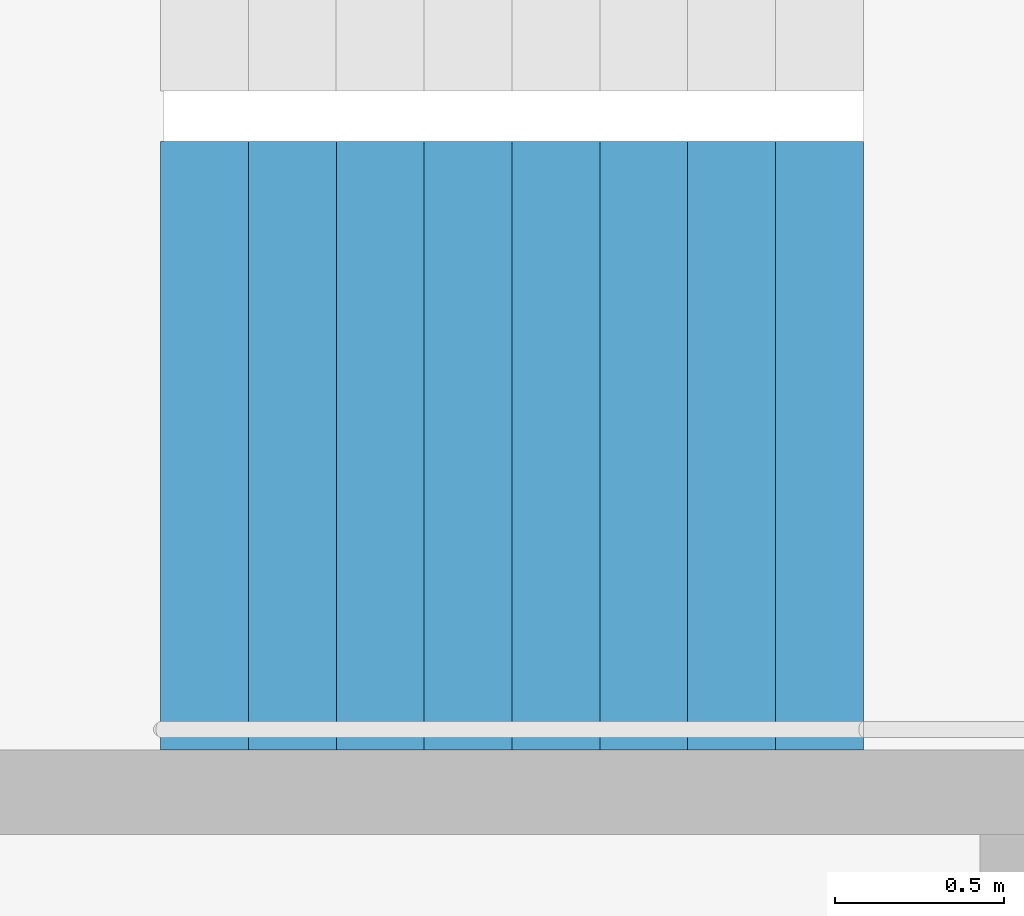
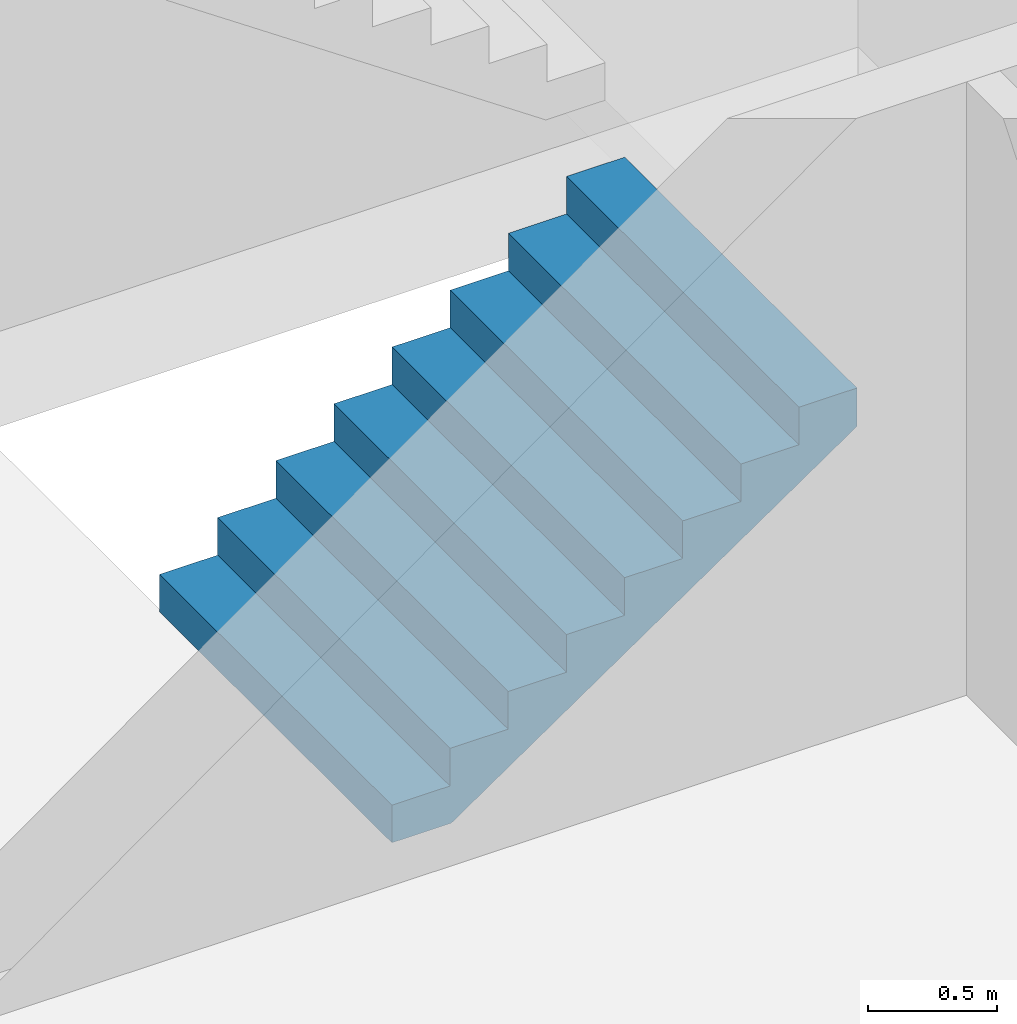
# One storey, part 20 of 26: 1 stair flight, 1 element without a shape of its own.
"""IFC4 building model written with IfcOpenShell, lengths in metres."""

from ifc_helpers import new_model, si_unit, direction, frame, origin, place, context, subcontext, project, spatial, triangles, material, type_object, element, aggregate, save


model = new_model("IFC4")

# Units and contexts
model_context = context("Model", 3, precision=1e-05, world=origin(), true_north=direction((0.0, 1.0)))
body_context = subcontext(model_context, "Body", "Model", "MODEL_VIEW")
ifc_project = project(units=[si_unit("LENGTHUNIT", "METRE"), si_unit("AREAUNIT", "SQUARE_METRE"), si_unit("VOLUMEUNIT", "CUBIC_METRE"), si_unit("PLANEANGLEUNIT", "RADIAN"), si_unit("MASSUNIT", "GRAM", prefix="KILO")], contexts=[model_context])

# Site, building, storey
site_placement = place(None, origin())
site = spatial("IfcSite", under=ifc_project, at=site_placement, CompositionType="ELEMENT")
building_placement = place(site_placement, origin())
building = spatial("IfcBuilding", under=site, at=building_placement, Name="Hakoniwa Tower and Hamabe Station Hall", CompositionType="ELEMENT")
storey_placement = place(building_placement, frame((0.0, 0.0, 172.60009765625)))
storey = spatial("IfcBuildingStorey", under=building, at=storey_placement, Name="L49", CompositionType="ELEMENT", Elevation=172.60009765625)

# Stair, stair flight
ifc_material_1 = material(Name="Concrete C40", Category="concrete")
stair_type = type_object("IfcStairType", Name="ESCAPE STAIR 1800", PredefinedType="HALF_TURN_STAIR", material=ifc_material_1)
stair_placement = place(storey_placement, origin())
stair = element("IfcStair", 1, at=stair_placement, inside=storey, type_object=stair_type, Name="Escape stair ST-1 L49", PredefinedType="HALF_TURN_STAIR")
ifc_material_2 = material(Name="Concrete C40", Category="concrete")
stair_flight_type = type_object("IfcStairFlightType", Name="STAIR FLIGHT 1800", PredefinedType="STRAIGHT", material=ifc_material_2)
stair_flight_placement = place(storey_placement, frame((-24.39990234375, 4.64990234375, 0.0), z_axis=(0.0, 0.0, 1.0), x_axis=(1.0, 0.0, 0.0)))
stair_flight = element("IfcStairFlight", 2, at=stair_flight_placement, type_object=stair_flight_type, Name="ST-1 flight 1", NumberOfRisers=9, NumberOfTreads=8, PredefinedType="STRAIGHT", RiserHeight=0.177777778, TreadLength=0.26, context=body_context, shape_type="Tessellation", body=[
    triangles([(0.0, 0.89990234375, 0.0), (0.260009765625, 0.89990234375, 0.0), (0.265625, 0.89990234375, 0.0), (0.52001953125, 0.89990234375, 0.174072265625), (0.780029296875, 0.89990234375, 0.351806640625), (1.0400390625, 0.89990234375, 0.529541015625), (1.300048828125, 0.89990234375, 0.707275390625), (1.56005859375, 0.89990234375, 0.885009765625), (1.820068359375, 0.89990234375, 1.062744140625), (2.080078125, 0.89990234375, 1.24072265625), (2.080078125, 0.89990234375, 1.422119140625), (1.820068359375, 0.89990234375, 1.422119140625), (1.820068359375, 0.89990234375, 1.244384765625), (1.56005859375, 0.89990234375, 1.244384765625), (1.56005859375, 0.89990234375, 1.066650390625), (1.300048828125, 0.89990234375, 1.066650390625), (1.300048828125, 0.89990234375, 0.888916015625), (1.0400390625, 0.89990234375, 0.888916015625), (1.0400390625, 0.89990234375, 0.711181640625), (0.780029296875, 0.89990234375, 0.711181640625), (0.780029296875, 0.89990234375, 0.533447265625), (0.52001953125, 0.89990234375, 0.533447265625), (0.52001953125, 0.89990234375, 0.35546875), (0.265625, 0.89990234375, 0.35546875), (0.260009765625, 0.89990234375, 0.35546875), (0.260009765625, 0.89990234375, 0.177734375), (0.0, 0.89990234375, 0.177734375), (0.0, 0.06005859375, 0.0), (0.260009765625, 0.06005859375, 0.0), (0.265625, 0.06005859375, 0.0), (0.52001953125, 0.06005859375, 0.174072265625), (0.780029296875, 0.06005859375, 0.351806640625), (1.0400390625, 0.06005859375, 0.529541015625), (1.300048828125, 0.06005859375, 0.707275390625), (1.56005859375, 0.06005859375, 0.885009765625), (1.820068359375, 0.06005859375, 1.062744140625), (2.080078125, 0.06005859375, 1.24072265625), (2.080078125, 0.06005859375, 1.422119140625), (1.820068359375, 0.06005859375, 1.422119140625), (1.820068359375, 0.06005859375, 1.244384765625), (1.56005859375, 0.06005859375, 1.244384765625), (1.56005859375, 0.06005859375, 1.066650390625), (1.300048828125, 0.06005859375, 1.066650390625), (1.300048828125, 0.06005859375, 0.888916015625), (1.0400390625, 0.06005859375, 0.888916015625), (1.0400390625, 0.06005859375, 0.711181640625), (0.780029296875, 0.06005859375, 0.711181640625), (0.780029296875, 0.06005859375, 0.533447265625), (0.52001953125, 0.06005859375, 0.533447265625), (0.52001953125, 0.06005859375, 0.35546875), (0.265625, 0.06005859375, 0.35546875), (0.260009765625, 0.06005859375, 0.35546875), (0.260009765625, 0.06005859375, 0.177734375), (0.0, 0.06005859375, 0.177734375), (0.0, 0.04296875, 0.0), (0.260009765625, 0.04296875, 0.0), (0.265625, 0.04296875, 0.0), (0.52001953125, 0.04296875, 0.174072265625), (0.780029296875, 0.04296875, 0.351806640625), (1.0400390625, 0.04296875, 0.529541015625), (1.300048828125, 0.04296875, 0.707275390625), (1.56005859375, 0.04296875, 0.885009765625), (1.820068359375, 0.04296875, 1.062744140625), (2.080078125, 0.04296875, 1.24072265625), (2.080078125, 0.04296875, 1.422119140625), (1.820068359375, 0.04296875, 1.422119140625), (1.820068359375, 0.04296875, 1.244384765625), (1.56005859375, 0.04296875, 1.244384765625), (1.56005859375, 0.04296875, 1.066650390625), (1.300048828125, 0.04296875, 1.066650390625), (1.300048828125, 0.04296875, 0.888916015625), (1.0400390625, 0.04296875, 0.888916015625), (1.0400390625, 0.04296875, 0.711181640625), (0.780029296875, 0.04296875, 0.711181640625), (0.780029296875, 0.04296875, 0.533447265625), (0.52001953125, 0.04296875, 0.533447265625), (0.52001953125, 0.04296875, 0.35546875), (0.265625, 0.04296875, 0.35546875), (0.260009765625, 0.04296875, 0.35546875), (0.260009765625, 0.04296875, 0.177734375), (0.0, 0.04296875, 0.177734375), (0.0, 0.025634765625, 0.0), (0.260009765625, 0.025634765625, 0.0), (0.265625, 0.025634765625, 0.0), (0.52001953125, 0.025634765625, 0.174072265625), (0.780029296875, 0.025634765625, 0.351806640625), (1.0400390625, 0.025634765625, 0.529541015625), (1.300048828125, 0.025634765625, 0.707275390625), (1.56005859375, 0.025634765625, 0.885009765625), (1.820068359375, 0.025634765625, 1.062744140625), (2.080078125, 0.025634765625, 1.24072265625), (2.080078125, 0.025634765625, 1.422119140625), (1.820068359375, 0.025634765625, 1.422119140625), (1.820068359375, 0.025634765625, 1.244384765625), (1.56005859375, 0.025634765625, 1.244384765625), (1.56005859375, 0.025634765625, 1.066650390625), (1.300048828125, 0.025634765625, 1.066650390625), (1.300048828125, 0.025634765625, 0.888916015625), (1.0400390625, 0.025634765625, 0.888916015625), (1.0400390625, 0.025634765625, 0.711181640625), (0.780029296875, 0.025634765625, 0.711181640625), (0.780029296875, 0.025634765625, 0.533447265625), (0.52001953125, 0.025634765625, 0.533447265625), (0.52001953125, 0.025634765625, 0.35546875), (0.265625, 0.025634765625, 0.35546875), (0.260009765625, 0.025634765625, 0.35546875), (0.260009765625, 0.025634765625, 0.177734375), (0.0, 0.025634765625, 0.177734375), (0.0, 0.008544921875, 0.0), (0.260009765625, 0.008544921875, 0.0), (0.265625, 0.008544921875, 0.0), (0.52001953125, 0.008544921875, 0.174072265625), (0.780029296875, 0.008544921875, 0.351806640625), (1.0400390625, 0.008544921875, 0.529541015625), (1.300048828125, 0.008544921875, 0.707275390625), (1.56005859375, 0.008544921875, 0.885009765625), (1.820068359375, 0.008544921875, 1.062744140625), (2.080078125, 0.008544921875, 1.24072265625), (2.080078125, 0.008544921875, 1.422119140625), (1.820068359375, 0.008544921875, 1.422119140625), (1.820068359375, 0.008544921875, 1.244384765625), (1.56005859375, 0.008544921875, 1.244384765625), (1.56005859375, 0.008544921875, 1.066650390625), (1.300048828125, 0.008544921875, 1.066650390625), (1.300048828125, 0.008544921875, 0.888916015625), (1.0400390625, 0.008544921875, 0.888916015625), (1.0400390625, 0.008544921875, 0.711181640625), (0.780029296875, 0.008544921875, 0.711181640625), (0.780029296875, 0.008544921875, 0.533447265625), (0.52001953125, 0.008544921875, 0.533447265625), (0.52001953125, 0.008544921875, 0.35546875), (0.265625, 0.008544921875, 0.35546875), (0.260009765625, 0.008544921875, 0.35546875), (0.260009765625, 0.008544921875, 0.177734375), (0.0, 0.008544921875, 0.177734375), (0.0, -0.008544921875, 0.0), (0.260009765625, -0.008544921875, 0.0), (0.265625, -0.008544921875, 0.0), (0.52001953125, -0.008544921875, 0.174072265625), (0.780029296875, -0.008544921875, 0.351806640625), (1.0400390625, -0.008544921875, 0.529541015625), (1.300048828125, -0.008544921875, 0.707275390625), (1.56005859375, -0.008544921875, 0.885009765625), (1.820068359375, -0.008544921875, 1.062744140625), (2.080078125, -0.008544921875, 1.24072265625), (2.080078125, -0.008544921875, 1.422119140625), (1.820068359375, -0.008544921875, 1.422119140625), (1.820068359375, -0.008544921875, 1.244384765625), (1.56005859375, -0.008544921875, 1.244384765625), (1.56005859375, -0.008544921875, 1.066650390625), (1.300048828125, -0.008544921875, 1.066650390625), (1.300048828125, -0.008544921875, 0.888916015625), (1.0400390625, -0.008544921875, 0.888916015625), (1.0400390625, -0.008544921875, 0.711181640625), (0.780029296875, -0.008544921875, 0.711181640625), (0.780029296875, -0.008544921875, 0.533447265625), (0.52001953125, -0.008544921875, 0.533447265625), (0.52001953125, -0.008544921875, 0.35546875), (0.265625, -0.008544921875, 0.35546875), (0.260009765625, -0.008544921875, 0.35546875), (0.260009765625, -0.008544921875, 0.177734375), (0.0, -0.008544921875, 0.177734375), (0.0, -0.025634765625, 0.0), (0.260009765625, -0.025634765625, 0.0), (0.265625, -0.025634765625, 0.0), (0.52001953125, -0.025634765625, 0.174072265625), (0.780029296875, -0.025634765625, 0.351806640625), (1.0400390625, -0.025634765625, 0.529541015625), (1.300048828125, -0.025634765625, 0.707275390625), (1.56005859375, -0.025634765625, 0.885009765625), (1.820068359375, -0.025634765625, 1.062744140625), (2.080078125, -0.025634765625, 1.24072265625), (2.080078125, -0.025634765625, 1.422119140625), (1.820068359375, -0.025634765625, 1.422119140625), (1.820068359375, -0.025634765625, 1.244384765625), (1.56005859375, -0.025634765625, 1.244384765625), (1.56005859375, -0.025634765625, 1.066650390625), (1.300048828125, -0.025634765625, 1.066650390625), (1.300048828125, -0.025634765625, 0.888916015625), (1.0400390625, -0.025634765625, 0.888916015625), (1.0400390625, -0.025634765625, 0.711181640625), (0.780029296875, -0.025634765625, 0.711181640625), (0.780029296875, -0.025634765625, 0.533447265625), (0.52001953125, -0.025634765625, 0.533447265625), (0.52001953125, -0.025634765625, 0.35546875), (0.265625, -0.025634765625, 0.35546875), (0.260009765625, -0.025634765625, 0.35546875), (0.260009765625, -0.025634765625, 0.177734375), (0.0, -0.025634765625, 0.177734375), (0.0, -0.04296875, 0.0), (0.260009765625, -0.04296875, 0.0), (0.265625, -0.04296875, 0.0), (0.52001953125, -0.04296875, 0.174072265625), (0.780029296875, -0.04296875, 0.351806640625), (1.0400390625, -0.04296875, 0.529541015625), (1.300048828125, -0.04296875, 0.707275390625), (1.56005859375, -0.04296875, 0.885009765625), (1.820068359375, -0.04296875, 1.062744140625), (2.080078125, -0.04296875, 1.24072265625), (2.080078125, -0.04296875, 1.422119140625), (1.820068359375, -0.04296875, 1.422119140625), (1.820068359375, -0.04296875, 1.244384765625), (1.56005859375, -0.04296875, 1.244384765625), (1.56005859375, -0.04296875, 1.066650390625), (1.300048828125, -0.04296875, 1.066650390625), (1.300048828125, -0.04296875, 0.888916015625), (1.0400390625, -0.04296875, 0.888916015625), (1.0400390625, -0.04296875, 0.711181640625), (0.780029296875, -0.04296875, 0.711181640625), (0.780029296875, -0.04296875, 0.533447265625), (0.52001953125, -0.04296875, 0.533447265625), (0.52001953125, -0.04296875, 0.35546875), (0.265625, -0.04296875, 0.35546875), (0.260009765625, -0.04296875, 0.35546875), (0.260009765625, -0.04296875, 0.177734375), (0.0, -0.04296875, 0.177734375), (0.0, -0.06005859375, 0.0), (0.260009765625, -0.06005859375, 0.0), (0.265625, -0.06005859375, 0.0), (0.52001953125, -0.06005859375, 0.174072265625), (0.780029296875, -0.06005859375, 0.351806640625), (1.0400390625, -0.06005859375, 0.529541015625), (1.300048828125, -0.06005859375, 0.707275390625), (1.56005859375, -0.06005859375, 0.885009765625), (1.820068359375, -0.06005859375, 1.062744140625), (2.080078125, -0.06005859375, 1.24072265625), (2.080078125, -0.06005859375, 1.422119140625), (1.820068359375, -0.06005859375, 1.422119140625), (1.820068359375, -0.06005859375, 1.244384765625), (1.56005859375, -0.06005859375, 1.244384765625), (1.56005859375, -0.06005859375, 1.066650390625), (1.300048828125, -0.06005859375, 1.066650390625), (1.300048828125, -0.06005859375, 0.888916015625), (1.0400390625, -0.06005859375, 0.888916015625), (1.0400390625, -0.06005859375, 0.711181640625), (0.780029296875, -0.06005859375, 0.711181640625), (0.780029296875, -0.06005859375, 0.533447265625), (0.52001953125, -0.06005859375, 0.533447265625), (0.52001953125, -0.06005859375, 0.35546875), (0.265625, -0.06005859375, 0.35546875), (0.260009765625, -0.06005859375, 0.35546875), (0.260009765625, -0.06005859375, 0.177734375), (0.0, -0.06005859375, 0.177734375), (0.0, -0.89990234375, 0.0), (0.260009765625, -0.89990234375, 0.0), (0.265625, -0.89990234375, 0.0), (0.52001953125, -0.89990234375, 0.174072265625), (0.780029296875, -0.89990234375, 0.351806640625), (1.0400390625, -0.89990234375, 0.529541015625), (1.300048828125, -0.89990234375, 0.707275390625), (1.56005859375, -0.89990234375, 0.885009765625), (1.820068359375, -0.89990234375, 1.062744140625), (2.080078125, -0.89990234375, 1.24072265625), (2.080078125, -0.89990234375, 1.422119140625), (1.820068359375, -0.89990234375, 1.422119140625), (1.820068359375, -0.89990234375, 1.244384765625), (1.56005859375, -0.89990234375, 1.244384765625), (1.56005859375, -0.89990234375, 1.066650390625), (1.300048828125, -0.89990234375, 1.066650390625), (1.300048828125, -0.89990234375, 0.888916015625), (1.0400390625, -0.89990234375, 0.888916015625), (1.0400390625, -0.89990234375, 0.711181640625), (0.780029296875, -0.89990234375, 0.711181640625), (0.780029296875, -0.89990234375, 0.533447265625), (0.52001953125, -0.89990234375, 0.533447265625), (0.52001953125, -0.89990234375, 0.35546875), (0.265625, -0.89990234375, 0.35546875), (0.260009765625, -0.89990234375, 0.35546875), (0.260009765625, -0.89990234375, 0.177734375), (0.0, -0.89990234375, 0.177734375)], [[2, 27, 26], [245, 269, 270], [2, 1, 27], [245, 270, 244], [3, 25, 24], [246, 267, 268], [3, 26, 25], [246, 268, 269], [3, 2, 26], [246, 269, 245], [4, 24, 23], [247, 266, 267], [4, 3, 24], [247, 267, 246], [5, 22, 21], [248, 264, 265], [5, 23, 22], [248, 265, 266], [5, 4, 23], [248, 266, 247], [6, 20, 19], [249, 262, 263], [6, 21, 20], [249, 263, 264], [6, 5, 21], [249, 264, 248], [7, 18, 17], [250, 260, 261], [7, 19, 18], [250, 261, 262], [7, 6, 19], [250, 262, 249], [8, 16, 15], [251, 258, 259], [8, 17, 16], [251, 259, 260], [8, 7, 17], [251, 260, 250], [9, 14, 13], [252, 256, 257], [9, 15, 14], [252, 257, 258], [9, 8, 15], [252, 258, 251], [10, 12, 11], [253, 254, 255], [10, 13, 12], [253, 255, 256], [10, 9, 13], [253, 256, 252], [1, 2, 29], [1, 29, 28], [28, 29, 56], [28, 56, 55], [55, 56, 83], [55, 83, 82], [82, 83, 110], [82, 110, 109], [109, 110, 137], [109, 137, 136], [136, 137, 164], [136, 164, 163], [163, 164, 191], [163, 191, 190], [190, 191, 218], [190, 218, 217], [217, 218, 245], [217, 245, 244], [2, 3, 30], [2, 30, 29], [29, 30, 57], [29, 57, 56], [56, 57, 84], [56, 84, 83], [83, 84, 111], [83, 111, 110], [110, 111, 138], [110, 138, 137], [137, 138, 165], [137, 165, 164], [164, 165, 192], [164, 192, 191], [191, 192, 219], [191, 219, 218], [218, 219, 246], [218, 246, 245], [3, 4, 31], [3, 31, 30], [30, 31, 58], [30, 58, 57], [57, 58, 85], [57, 85, 84], [84, 85, 112], [84, 112, 111], [111, 112, 139], [111, 139, 138], [138, 139, 166], [138, 166, 165], [165, 166, 193], [165, 193, 192], [192, 193, 220], [192, 220, 219], [219, 220, 247], [219, 247, 246], [4, 5, 32], [4, 32, 31], [31, 32, 59], [31, 59, 58], [58, 59, 86], [58, 86, 85], [85, 86, 113], [85, 113, 112], [112, 113, 140], [112, 140, 139], [139, 140, 167], [139, 167, 166], [166, 167, 194], [166, 194, 193], [193, 194, 221], [193, 221, 220], [220, 221, 248], [220, 248, 247], [5, 6, 33], [5, 33, 32], [32, 33, 60], [32, 60, 59], [59, 60, 87], [59, 87, 86], [86, 87, 114], [86, 114, 113], [113, 114, 141], [113, 141, 140], [140, 141, 168], [140, 168, 167], [167, 168, 195], [167, 195, 194], [194, 195, 222], [194, 222, 221], [221, 222, 249], [221, 249, 248], [6, 7, 34], [6, 34, 33], [33, 34, 61], [33, 61, 60], [60, 61, 88], [60, 88, 87], [87, 88, 115], [87, 115, 114], [114, 115, 142], [114, 142, 141], [141, 142, 169], [141, 169, 168], [168, 169, 196], [168, 196, 195], [195, 196, 223], [195, 223, 222], [222, 223, 250], [222, 250, 249], [7, 8, 35], [7, 35, 34], [34, 35, 62], [34, 62, 61], [61, 62, 89], [61, 89, 88], [88, 89, 116], [88, 116, 115], [115, 116, 143], [115, 143, 142], [142, 143, 170], [142, 170, 169], [169, 170, 197], [169, 197, 196], [196, 197, 224], [196, 224, 223], [223, 224, 251], [223, 251, 250], [8, 9, 36], [8, 36, 35], [35, 36, 63], [35, 63, 62], [62, 63, 90], [62, 90, 89], [89, 90, 117], [89, 117, 116], [116, 117, 144], [116, 144, 143], [143, 144, 171], [143, 171, 170], [170, 171, 198], [170, 198, 197], [197, 198, 225], [197, 225, 224], [224, 225, 252], [224, 252, 251], [9, 10, 37], [9, 37, 36], [36, 37, 64], [36, 64, 63], [63, 64, 91], [63, 91, 90], [90, 91, 118], [90, 118, 117], [117, 118, 145], [117, 145, 144], [144, 145, 172], [144, 172, 171], [171, 172, 199], [171, 199, 198], [198, 199, 226], [198, 226, 225], [225, 226, 253], [225, 253, 252], [10, 11, 38], [10, 38, 37], [37, 38, 65], [37, 65, 64], [64, 65, 92], [64, 92, 91], [91, 92, 119], [91, 119, 118], [118, 119, 146], [118, 146, 145], [145, 146, 173], [145, 173, 172], [172, 173, 200], [172, 200, 199], [199, 200, 227], [199, 227, 226], [226, 227, 254], [226, 254, 253], [11, 12, 39], [11, 39, 38], [38, 39, 66], [38, 66, 65], [65, 66, 93], [65, 93, 92], [92, 93, 120], [92, 120, 119], [119, 120, 147], [119, 147, 146], [146, 147, 174], [146, 174, 173], [173, 174, 201], [173, 201, 200], [200, 201, 228], [200, 228, 227], [227, 228, 255], [227, 255, 254], [12, 13, 40], [12, 40, 39], [39, 40, 67], [39, 67, 66], [66, 67, 94], [66, 94, 93], [93, 94, 121], [93, 121, 120], [120, 121, 148], [120, 148, 147], [147, 148, 175], [147, 175, 174], [174, 175, 202], [174, 202, 201], [201, 202, 229], [201, 229, 228], [228, 229, 256], [228, 256, 255], [13, 14, 41], [13, 41, 40], [40, 41, 68], [40, 68, 67], [67, 68, 95], [67, 95, 94], [94, 95, 122], [94, 122, 121], [121, 122, 149], [121, 149, 148], [148, 149, 176], [148, 176, 175], [175, 176, 203], [175, 203, 202], [202, 203, 230], [202, 230, 229], [229, 230, 257], [229, 257, 256], [14, 15, 42], [14, 42, 41], [41, 42, 69], [41, 69, 68], [68, 69, 96], [68, 96, 95], [95, 96, 123], [95, 123, 122], [122, 123, 150], [122, 150, 149], [149, 150, 177], [149, 177, 176], [176, 177, 204], [176, 204, 203], [203, 204, 231], [203, 231, 230], [230, 231, 258], [230, 258, 257], [15, 16, 43], [15, 43, 42], [42, 43, 70], [42, 70, 69], [69, 70, 97], [69, 97, 96], [96, 97, 124], [96, 124, 123], [123, 124, 151], [123, 151, 150], [150, 151, 178], [150, 178, 177], [177, 178, 205], [177, 205, 204], [204, 205, 232], [204, 232, 231], [231, 232, 259], [231, 259, 258], [16, 17, 44], [16, 44, 43], [43, 44, 71], [43, 71, 70], [70, 71, 98], [70, 98, 97], [97, 98, 125], [97, 125, 124], [124, 125, 152], [124, 152, 151], [151, 152, 179], [151, 179, 178], [178, 179, 206], [178, 206, 205], [205, 206, 233], [205, 233, 232], [232, 233, 260], [232, 260, 259], [17, 18, 45], [17, 45, 44], [44, 45, 72], [44, 72, 71], [71, 72, 99], [71, 99, 98], [98, 99, 126], [98, 126, 125], [125, 126, 153], [125, 153, 152], [152, 153, 180], [152, 180, 179], [179, 180, 207], [179, 207, 206], [206, 207, 234], [206, 234, 233], [233, 234, 261], [233, 261, 260], [18, 19, 46], [18, 46, 45], [45, 46, 73], [45, 73, 72], [72, 73, 100], [72, 100, 99], [99, 100, 127], [99, 127, 126], [126, 127, 154], [126, 154, 153], [153, 154, 181], [153, 181, 180], [180, 181, 208], [180, 208, 207], [207, 208, 235], [207, 235, 234], [234, 235, 262], [234, 262, 261], [19, 20, 47], [19, 47, 46], [46, 47, 74], [46, 74, 73], [73, 74, 101], [73, 101, 100], [100, 101, 128], [100, 128, 127], [127, 128, 155], [127, 155, 154], [154, 155, 182], [154, 182, 181], [181, 182, 209], [181, 209, 208], [208, 209, 236], [208, 236, 235], [235, 236, 263], [235, 263, 262], [20, 21, 48], [20, 48, 47], [47, 48, 75], [47, 75, 74], [74, 75, 102], [74, 102, 101], [101, 102, 129], [101, 129, 128], [128, 129, 156], [128, 156, 155], [155, 156, 183], [155, 183, 182], [182, 183, 210], [182, 210, 209], [209, 210, 237], [209, 237, 236], [236, 237, 264], [236, 264, 263], [21, 22, 49], [21, 49, 48], [48, 49, 76], [48, 76, 75], [75, 76, 103], [75, 103, 102], [102, 103, 130], [102, 130, 129], [129, 130, 157], [129, 157, 156], [156, 157, 184], [156, 184, 183], [183, 184, 211], [183, 211, 210], [210, 211, 238], [210, 238, 237], [237, 238, 265], [237, 265, 264], [22, 23, 50], [22, 50, 49], [49, 50, 77], [49, 77, 76], [76, 77, 104], [76, 104, 103], [103, 104, 131], [103, 131, 130], [130, 131, 158], [130, 158, 157], [157, 158, 185], [157, 185, 184], [184, 185, 212], [184, 212, 211], [211, 212, 239], [211, 239, 238], [238, 239, 266], [238, 266, 265], [23, 24, 51], [23, 51, 50], [50, 51, 78], [50, 78, 77], [77, 78, 105], [77, 105, 104], [104, 105, 132], [104, 132, 131], [131, 132, 159], [131, 159, 158], [158, 159, 186], [158, 186, 185], [185, 186, 213], [185, 213, 212], [212, 213, 240], [212, 240, 239], [239, 240, 267], [239, 267, 266], [24, 25, 52], [24, 52, 51], [51, 52, 79], [51, 79, 78], [78, 79, 106], [78, 106, 105], [105, 106, 133], [105, 133, 132], [132, 133, 160], [132, 160, 159], [159, 160, 187], [159, 187, 186], [186, 187, 214], [186, 214, 213], [213, 214, 241], [213, 241, 240], [240, 241, 268], [240, 268, 267], [25, 26, 53], [25, 53, 52], [52, 53, 80], [52, 80, 79], [79, 80, 107], [79, 107, 106], [106, 107, 134], [106, 134, 133], [133, 134, 161], [133, 161, 160], [160, 161, 188], [160, 188, 187], [187, 188, 215], [187, 215, 214], [214, 215, 242], [214, 242, 241], [241, 242, 269], [241, 269, 268], [26, 27, 54], [26, 54, 53], [53, 54, 81], [53, 81, 80], [80, 81, 108], [80, 108, 107], [107, 108, 135], [107, 135, 134], [134, 135, 162], [134, 162, 161], [161, 162, 189], [161, 189, 188], [188, 189, 216], [188, 216, 215], [215, 216, 243], [215, 243, 242], [242, 243, 270], [242, 270, 269], [27, 1, 28], [27, 28, 54], [54, 28, 55], [54, 55, 81], [81, 55, 82], [81, 82, 108], [108, 82, 109], [108, 109, 135], [135, 109, 136], [135, 136, 162], [162, 136, 163], [162, 163, 189], [189, 163, 190], [189, 190, 216], [216, 190, 217], [216, 217, 243], [243, 217, 244], [243, 244, 270]], closed=True),
])
aggregate(stair, [stair_flight])

save(model, "model.ifc")
